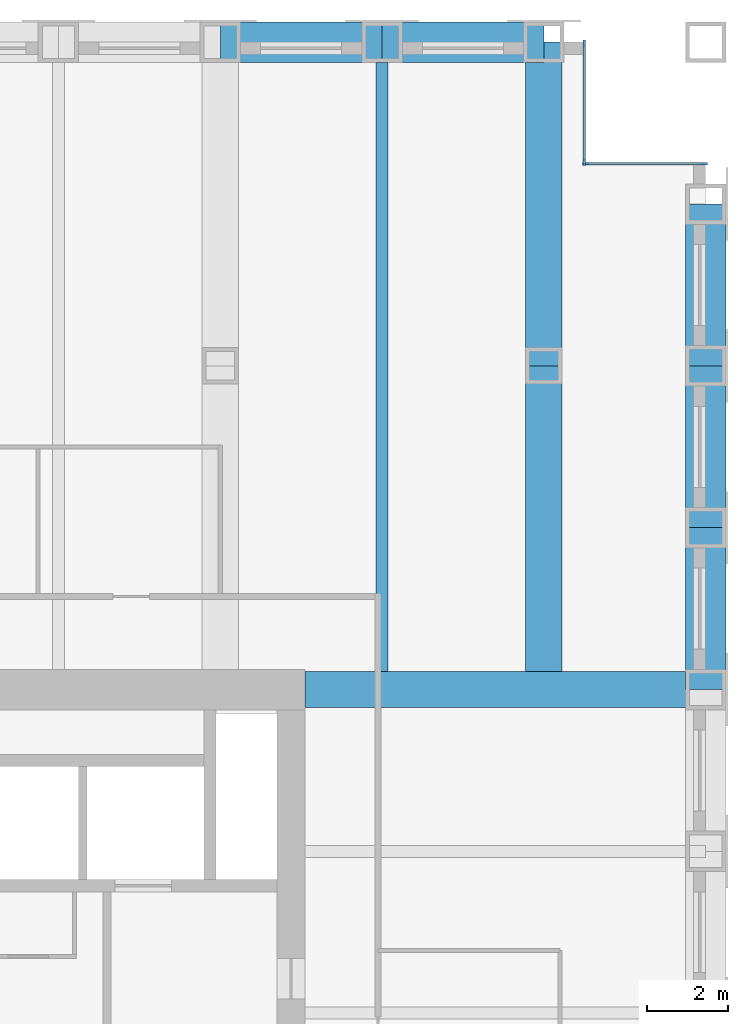
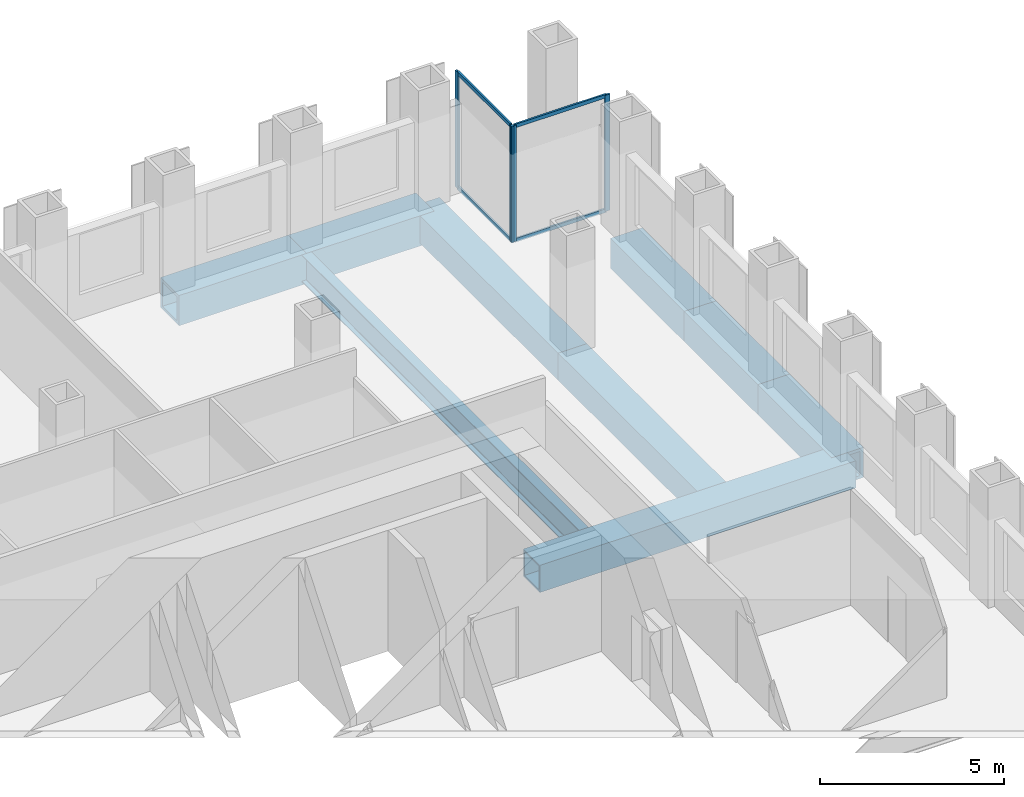
# One storey, part 6 of 12: 9 beams, 8 members, 2 elements without a shape of their own.
"""IFC4 building model written with IfcOpenShell, lengths in metres."""

from ifc_helpers import new_model, si_unit, direction, frame, origin, origin_2d, place, context, subcontext, project, spatial, rectangle, hollow_rectangle, i_section, extrude, material, material_profile, profile_set, type_object, element, aggregate, save


model = new_model("IFC4")

# Units and contexts
model_context = context("Model", 3, precision=1e-05, world=origin(), true_north=direction((0.0, 1.0)))
body_context = subcontext(model_context, "Body", "Model", "MODEL_VIEW")
ifc_project = project(units=[si_unit("LENGTHUNIT", "METRE"), si_unit("AREAUNIT", "SQUARE_METRE"), si_unit("VOLUMEUNIT", "CUBIC_METRE"), si_unit("PLANEANGLEUNIT", "RADIAN"), si_unit("MASSUNIT", "GRAM", prefix="KILO")], contexts=[model_context])

# Site, building, storey
site_placement = place(None, origin())
site = spatial("IfcSite", under=ifc_project, at=site_placement, CompositionType="ELEMENT")
building_placement = place(site_placement, origin())
building = spatial("IfcBuilding", under=site, at=building_placement, Name="Rimbunsela Tower", CompositionType="ELEMENT")
storey_placement = place(building_placement, frame((0.0, 0.0, 155.800048828125)))
storey = spatial("IfcBuildingStorey", under=building, at=storey_placement, Name="L37", CompositionType="ELEMENT", Elevation=155.800048828125)

# Beams
ifc_material_1 = material(Name="Steel BJ 55 (fy 410 MPa)", Category="steel")
ifc_material_profile_1 = material_profile(ifc_material_1, hollow_rectangle(XDim=1.0, YDim=1.0, WallThickness=0.10009765625, at=origin_2d()), Name="BOX 1000x1000x100")
ifc_profile_set_1 = profile_set([ifc_material_profile_1], Name="Steel BJ 55 (fy 410 MPa)")
beam_type_1 = type_object("IfcBeamType", Name="Beam BOX 1000x1000x100", PredefinedType="BEAM", material=ifc_profile_set_1)
for number, where, z_axis, x_axis, name in (
    (1, (34.0, 52.0, -0.650146484375), (1.0, 0.0, 0.0), (0.0, 1.0, 0.0), "Beam B3 L37"),
    (2, (38.0, 52.0, -0.650146484375), (1.0, 0.0, 0.0), (0.0, 1.0, 0.0), "Beam B3 L37"),
    (3, (46.0, 36.0, -0.650146484375), (0.0, 1.0, 0.0), (-1.0, 0.0, 0.0), "Beam B3 L37"),
    (4, (46.0, 40.0, -0.650146484375), (0.0, 1.0, 0.0), (-1.0, 0.0, 0.0), "Beam B3 L37"),
    (5, (46.0, 44.0, -0.650146484375), (0.0, 1.0, 0.0), (-1.0, 0.0, 0.0), "Beam B3 L37"),
):
    element("IfcBeam", number, at=place(storey_placement, frame(where, z_axis=z_axis, x_axis=x_axis)), inside=storey, type_object=beam_type_1, Name=name, PredefinedType="BEAM", context=body_context, shape_type="SweptSolid", body=[
        extrude(hollow_rectangle(XDim=1.0, YDim=1.0, WallThickness=0.10009765625, at=origin_2d()), origin(), (0.0, 0.0, 1.0), 4.0),
    ])
ifc_material_2 = material(Name="Steel BJ 55 (fy 410 MPa)", Category="steel")
ifc_material_profile_2 = material_profile(ifc_material_2, hollow_rectangle(XDim=0.89990234375, YDim=0.89990234375, WallThickness=0.06005859375, at=origin_2d()), Name="BOX 900x900x60")
ifc_profile_set_2 = profile_set([ifc_material_profile_2], Name="Steel BJ 55 (fy 410 MPa)")
beam_type_2 = type_object("IfcBeamType", Name="Beam BOX 900x900x60", PredefinedType="BEAM", material=ifc_profile_set_2)
beam_1_placement = place(storey_placement, frame((36.10009765625, 36.0, -0.60009765625), z_axis=(1.0, 0.0, 0.0), x_axis=(0.0, 1.0, 0.0)))
element("IfcBeam", 6, at=beam_1_placement, inside=storey, type_object=beam_type_2, Name="Beam B1 L37", PredefinedType="BEAM", context=body_context, shape_type="SweptSolid", body=[
    extrude(hollow_rectangle(XDim=0.89990234375, YDim=0.89990234375, WallThickness=0.06005859375, at=origin_2d()), origin(), (0.0, 0.0, 1.0), 9.89990234375),
])
beam_2_placement = place(storey_placement, frame((42.0, 36.449951171875, -0.60009765625), z_axis=(0.0, 1.0, 0.0), x_axis=(-1.0, 0.0, 0.0)))
element("IfcBeam", 7, at=beam_2_placement, inside=storey, type_object=beam_type_2, Name="Beam B1 L37", PredefinedType="BEAM", context=body_context, shape_type="SweptSolid", body=[
    extrude(hollow_rectangle(XDim=0.89990234375, YDim=0.89990234375, WallThickness=0.06005859375, at=origin_2d()), origin(), (0.0, 0.0, 1.0), 7.550048828125),
])
beam_3_placement = place(storey_placement, frame((42.0, 44.0, -0.60009765625), z_axis=(0.0, 1.0, 0.0), x_axis=(-1.0, 0.0, 0.0)))
element("IfcBeam", 8, at=beam_3_placement, inside=storey, type_object=beam_type_2, Name="Beam B1 L37", PredefinedType="BEAM", context=body_context, shape_type="SweptSolid", body=[
    extrude(hollow_rectangle(XDim=0.89990234375, YDim=0.89990234375, WallThickness=0.06005859375, at=origin_2d()), origin(), (0.0, 0.0, 1.0), 8.0),
])
ifc_material_3 = material(Name="Steel BJ 55 (fy 410 MPa)", Category="steel")
ifc_material_profile_3 = material_profile(ifc_material_3, i_section(OverallWidth=0.300048828125, OverallDepth=0.89990234375, WebThickness=0.01611328125, FlangeThickness=0.028076171875, FilletRadius=0.028076171875, at=origin_2d()), Name="H 900x300x16x28")
ifc_profile_set_3 = profile_set([ifc_material_profile_3], Name="Steel BJ 55 (fy 410 MPa)")
beam_type_3 = type_object("IfcBeamType", Name="Beam H 900x300x16x28", PredefinedType="BEAM", material=ifc_profile_set_3)
beam_4_placement = place(storey_placement, frame((38.0, 36.449951171875, -0.60009765625), z_axis=(0.0, 1.0, 0.0), x_axis=(-1.0, 0.0, 0.0)))
element("IfcBeam", 9, at=beam_4_placement, inside=storey, type_object=beam_type_3, Name="Beam B2 L37", PredefinedType="BEAM", context=body_context, shape_type="SweptSolid", body=[
    extrude(i_section(OverallWidth=0.300048828125, OverallDepth=0.89990234375, WebThickness=0.01611328125, FlangeThickness=0.028076171875, FilletRadius=0.028076171875, at=origin_2d()), origin(), (0.0, 0.0, 1.0), 15.550048828125),
])

# Curtain wall, members
ifc_material_4 = material(Name="Aluminium curtain wall", Category="aluminium")
curtain_wall_type = type_object("IfcCurtainWallType", Name="Corner glazing", PredefinedType="USERDEFINED", material=ifc_material_4)
curtain_wall_1_placement = place(storey_placement, origin())
curtain_wall_1 = element("IfcCurtainWall", 10, at=curtain_wall_1_placement, inside=storey, type_object=curtain_wall_type, Name="Corner glazing L37", ObjectType="CORNER GLAZING", PredefinedType="USERDEFINED")
ifc_material_5 = material(Name="Aluminium mullion", Category="aluminium")
ifc_material_profile_4 = material_profile(ifc_material_5, rectangle(XDim=0.06005859375, YDim=0.159912109375, at=origin_2d()), Name="Mullion 60x160")
ifc_profile_set_4 = profile_set([ifc_material_profile_4], Name="Aluminium mullion")
member_type_1 = type_object("IfcMemberType", Name="Curtain wall mullion 60x160", PredefinedType="MULLION", material=ifc_profile_set_4)
member_1_placement = place(storey_placement, frame((45.969970703125, 49.0, 0.0), z_axis=(0.0, 0.0, 1.0), x_axis=(0.0, -1.0, 0.0)))
member_1 = element("IfcMember", 11, at=member_1_placement, type_object=member_type_1, Name="CW5 mullion 1", PredefinedType="MULLION", context=body_context, shape_type="SweptSolid", body=[
    extrude(rectangle(XDim=0.06005859375, YDim=0.159912109375, at=origin_2d()), origin(), (0.0, 0.0, 1.0), 3.849853515625),
])
member_2_placement = place(storey_placement, frame((43.030029296875, 49.0, 0.0), z_axis=(0.0, 0.0, 1.0), x_axis=(0.0, -1.0, 0.0)))
member_2 = element("IfcMember", 12, at=member_2_placement, type_object=member_type_1, Name="CW5 mullion 2", PredefinedType="MULLION", context=body_context, shape_type="SweptSolid", body=[
    extrude(rectangle(XDim=0.06005859375, YDim=0.159912109375, at=origin_2d()), origin(), (0.0, 0.0, 1.0), 3.849853515625),
])

curtain_wall_2_placement = place(storey_placement, origin())
curtain_wall_2 = element("IfcCurtainWall", 13, at=curtain_wall_2_placement, inside=storey, type_object=curtain_wall_type, Name="Corner glazing L37", ObjectType="CORNER GLAZING", PredefinedType="USERDEFINED")
member_3_placement = place(storey_placement, frame((43.0, 49.030029296875, 0.0), z_axis=(0.0, 0.0, 1.0), x_axis=(-1.0, 0.0, 0.0)))
member_3 = element("IfcMember", 14, at=member_3_placement, type_object=member_type_1, Name="CW5 mullion 1", PredefinedType="MULLION", context=body_context, shape_type="SweptSolid", body=[
    extrude(rectangle(XDim=0.06005859375, YDim=0.159912109375, at=origin_2d()), origin(), (0.0, 0.0, 1.0), 3.849853515625),
])
member_4_placement = place(storey_placement, frame((43.0, 51.969970703125, 0.0), z_axis=(0.0, 0.0, 1.0), x_axis=(-1.0, 0.0, 0.0)))
member_4 = element("IfcMember", 15, at=member_4_placement, type_object=member_type_1, Name="CW5 mullion 2", PredefinedType="MULLION", context=body_context, shape_type="SweptSolid", body=[
    extrude(rectangle(XDim=0.06005859375, YDim=0.159912109375, at=origin_2d()), origin(), (0.0, 0.0, 1.0), 3.849853515625),
])

# Member
ifc_material_6 = material(Name="Aluminium transom", Category="aluminium")
ifc_material_profile_5 = material_profile(ifc_material_6, rectangle(XDim=0.06005859375, YDim=0.1201171875, at=origin_2d()), Name="Transom 60x120")
ifc_profile_set_5 = profile_set([ifc_material_profile_5], Name="Aluminium transom")
member_type_2 = type_object("IfcMemberType", Name="Curtain wall transom 60x120", PredefinedType="USERDEFINED", material=ifc_profile_set_5)
member_5_placement = place(storey_placement, frame((45.93994140625, 49.0, 0.030029296875), z_axis=(-1.0, 0.0, 0.0), x_axis=(0.0, -1.0, 0.0)))
member_5 = element("IfcMember", 16, at=member_5_placement, type_object=member_type_2, Name="CW5 transom 1.1", ObjectType="TRANSOM", PredefinedType="USERDEFINED", context=body_context, shape_type="SweptSolid", body=[
    extrude(rectangle(XDim=0.06005859375, YDim=0.1201171875, at=origin_2d()), origin(), (0.0, 0.0, 1.0), 2.8798828125),
])

member_6_placement = place(storey_placement, frame((45.93994140625, 49.0, 3.820068359375), z_axis=(-1.0, 0.0, 0.0), x_axis=(0.0, -1.0, 0.0)))
member_6 = element("IfcMember", 17, at=member_6_placement, type_object=member_type_2, Name="CW5 transom 1.2", ObjectType="TRANSOM", PredefinedType="USERDEFINED", context=body_context, shape_type="SweptSolid", body=[
    extrude(rectangle(XDim=0.06005859375, YDim=0.1201171875, at=origin_2d()), origin(), (0.0, 0.0, 1.0), 2.8798828125),
])

aggregate(curtain_wall_1, [member_1, member_2, member_5, member_6])

member_7_placement = place(storey_placement, frame((43.0, 49.06005859375, 0.030029296875), z_axis=(0.0, 1.0, 0.0), x_axis=(-1.0, 0.0, 0.0)))
member_7 = element("IfcMember", 18, at=member_7_placement, type_object=member_type_2, Name="CW5 transom 1.1", ObjectType="TRANSOM", PredefinedType="USERDEFINED", context=body_context, shape_type="SweptSolid", body=[
    extrude(rectangle(XDim=0.06005859375, YDim=0.1201171875, at=origin_2d()), origin(), (0.0, 0.0, 1.0), 2.8798828125),
])

member_8_placement = place(storey_placement, frame((43.0, 49.06005859375, 3.820068359375), z_axis=(0.0, 1.0, 0.0), x_axis=(-1.0, 0.0, 0.0)))
member_8 = element("IfcMember", 19, at=member_8_placement, type_object=member_type_2, Name="CW5 transom 1.2", ObjectType="TRANSOM", PredefinedType="USERDEFINED", context=body_context, shape_type="SweptSolid", body=[
    extrude(rectangle(XDim=0.06005859375, YDim=0.1201171875, at=origin_2d()), origin(), (0.0, 0.0, 1.0), 2.8798828125),
])

aggregate(curtain_wall_2, [member_3, member_4, member_7, member_8])

save(model, "model.ifc")
